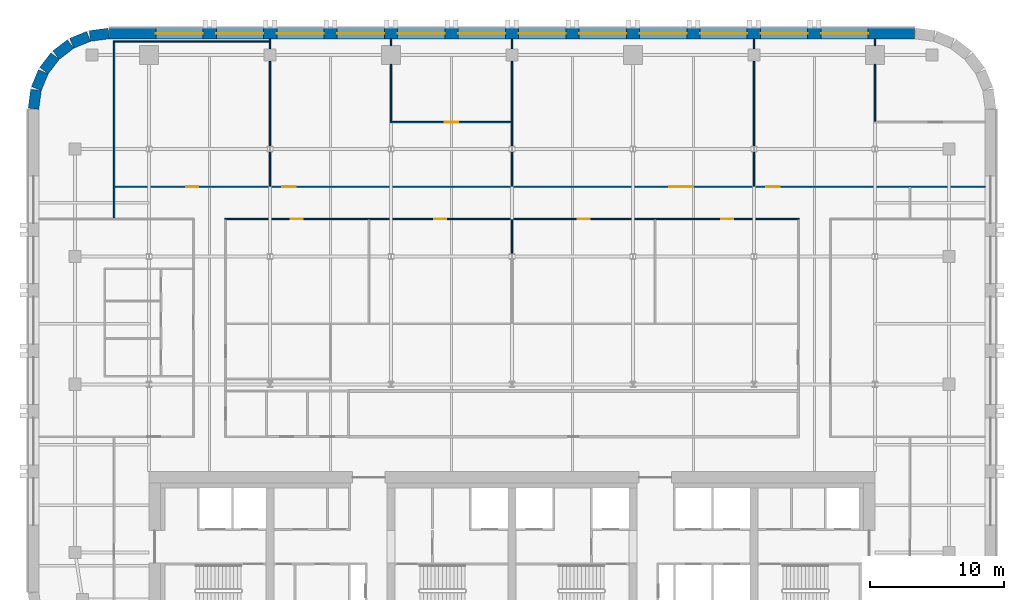
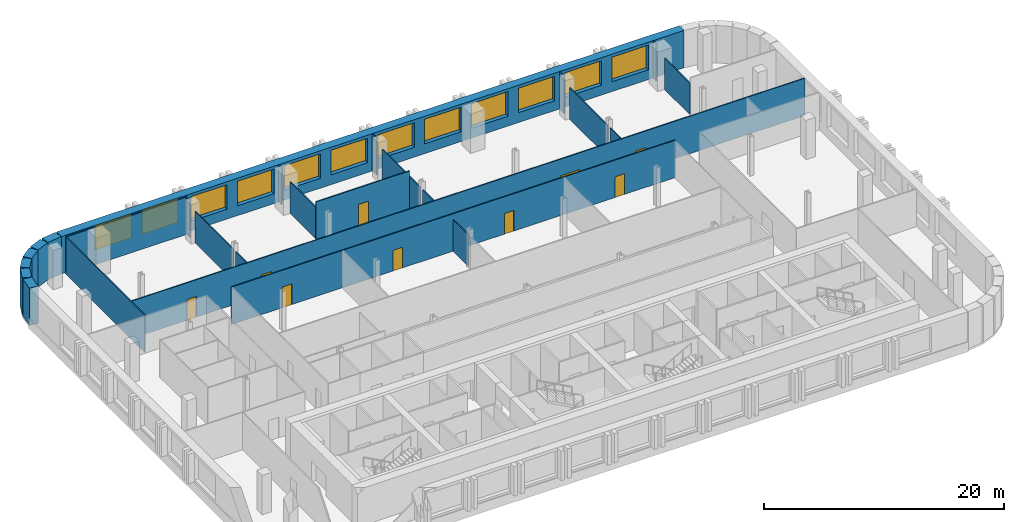
# One storey, part 6 of 9: 26 walls, 12 windows, 9 doors, 21 openings.
"""IFC4 building model written with IfcOpenShell, lengths in metres."""

from ifc_helpers import new_model, si_unit, direction, frame, frame_2d, origin, place, context, subcontext, project, spatial, rectangle, extrude, material, layer, layer_set, type_object, element, fill, save


model = new_model("IFC4")

# Units and contexts
model_context = context("Model", 3, precision=1e-05, world=origin(), true_north=direction((0.0, 1.0)))
body_context = subcontext(model_context, "Body", "Model", "MODEL_VIEW")
ifc_project = project(units=[si_unit("LENGTHUNIT", "METRE"), si_unit("AREAUNIT", "SQUARE_METRE"), si_unit("VOLUMEUNIT", "CUBIC_METRE"), si_unit("PLANEANGLEUNIT", "RADIAN"), si_unit("MASSUNIT", "GRAM", prefix="KILO")], contexts=[model_context])

# Site, building, storey
site_placement = place(None, origin())
site = spatial("IfcSite", under=ifc_project, at=site_placement, CompositionType="ELEMENT")
building_placement = place(site_placement, origin())
building = spatial("IfcBuilding", under=site, at=building_placement, Name="Zellij Exchange Tower", CompositionType="ELEMENT")
storey_placement = place(building_placement, frame((0.0, 0.0, 184.5)))
storey = spatial("IfcBuildingStorey", under=building, at=storey_placement, Name="L42", CompositionType="ELEMENT", Elevation=184.5)

# Wall, openings, windows
ifc_material_1 = material(Name="Precast concrete C40/50", Category="concrete")
ifc_layer_1 = layer(ifc_material_1, 0.800048828125)
ifc_layer_set_1 = layer_set([ifc_layer_1], Name="Precast concrete C40/50")
wall_type_1 = type_object("IfcWallType", Name="ENV-EW1 Precast stone-piered wall 800", PredefinedType="SOLIDWALL", material=ifc_layer_set_1)
wall_1_placement = place(storey_placement, frame((29.947509765625, 30.60009765625, 0.0), z_axis=(0.0, 0.0, 1.0), x_axis=(-1.0, 0.0, 0.0)))
wall_1 = element("IfcWall", 1, at=wall_1_placement, inside=storey, type_object=wall_type_1, Name="fac.L42.14", PredefinedType="SOLIDWALL", context=body_context, shape_type="SweptSolid", body=[
    extrude(rectangle(XDim=59.89501953125, YDim=0.800048828125, at=frame_2d((29.947509765625, 0.0))), origin(), (0.0, 0.0, 1.0), 3.800048828125),
])
opening_1_placement = place(wall_1_placement, frame((3.447509765625, 0.0, 1.0)))
opening_1 = element("IfcOpeningElement", 2, at=opening_1_placement, cuts=wall_1, Name="Opening FZ3.19", PredefinedType="OPENING", context=body_context, shape_type="SweptSolid", body=[
    extrude(rectangle(XDim=3.5, YDim=2.5, at=frame_2d((1.75, 1.25))), frame((0.0, 0.412109375, 0.0), z_axis=(0.0, -1.0, 0.0), x_axis=(1.0, 0.0, 0.0)), (0.0, 0.0, 1.0), 0.823974609375),
])
opening_2_placement = place(wall_1_placement, frame((7.947509765625, 0.0, 1.0)))
opening_2 = element("IfcOpeningElement", 3, at=opening_2_placement, cuts=wall_1, Name="Opening FZ3.20", PredefinedType="OPENING", context=body_context, shape_type="SweptSolid", body=[
    extrude(rectangle(XDim=3.5, YDim=2.5, at=frame_2d((1.75, 1.25))), frame((0.0, 0.412109375, 0.0), z_axis=(0.0, -1.0, 0.0), x_axis=(1.0, 0.0, 0.0)), (0.0, 0.0, 1.0), 0.823974609375),
])
opening_3_placement = place(wall_1_placement, frame((12.447509765625, 0.0, 1.0)))
opening_3 = element("IfcOpeningElement", 4, at=opening_3_placement, cuts=wall_1, Name="Opening FZ3.21", PredefinedType="OPENING", context=body_context, shape_type="SweptSolid", body=[
    extrude(rectangle(XDim=3.5, YDim=2.5, at=frame_2d((1.75, 1.25))), frame((0.0, 0.412109375, 0.0), z_axis=(0.0, -1.0, 0.0), x_axis=(1.0, 0.0, 0.0)), (0.0, 0.0, 1.0), 0.823974609375),
])
opening_4_placement = place(wall_1_placement, frame((16.947509765625, 0.0, 1.0)))
opening_4 = element("IfcOpeningElement", 5, at=opening_4_placement, cuts=wall_1, Name="Opening FZ3.22", PredefinedType="OPENING", context=body_context, shape_type="SweptSolid", body=[
    extrude(rectangle(XDim=3.5, YDim=2.5, at=frame_2d((1.75, 1.25))), frame((0.0, 0.412109375, 0.0), z_axis=(0.0, -1.0, 0.0), x_axis=(1.0, 0.0, 0.0)), (0.0, 0.0, 1.0), 0.823974609375),
])
opening_5_placement = place(wall_1_placement, frame((21.447509765625, 0.0, 1.0)))
opening_5 = element("IfcOpeningElement", 6, at=opening_5_placement, cuts=wall_1, Name="Opening FZ3.23", PredefinedType="OPENING", context=body_context, shape_type="SweptSolid", body=[
    extrude(rectangle(XDim=3.5, YDim=2.5, at=frame_2d((1.75, 1.25))), frame((0.0, 0.412109375, 0.0), z_axis=(0.0, -1.0, 0.0), x_axis=(1.0, 0.0, 0.0)), (0.0, 0.0, 1.0), 0.823974609375),
])
opening_6_placement = place(wall_1_placement, frame((25.947509765625, 0.0, 1.0)))
opening_6 = element("IfcOpeningElement", 7, at=opening_6_placement, cuts=wall_1, Name="Opening FZ3.24", PredefinedType="OPENING", context=body_context, shape_type="SweptSolid", body=[
    extrude(rectangle(XDim=3.5, YDim=2.5, at=frame_2d((1.75, 1.25))), frame((0.0, 0.412109375, 0.0), z_axis=(0.0, -1.0, 0.0), x_axis=(1.0, 0.0, 0.0)), (0.0, 0.0, 1.0), 0.823974609375),
])
opening_7_placement = place(wall_1_placement, frame((30.447509765625, 0.0, 1.0)))
opening_7 = element("IfcOpeningElement", 8, at=opening_7_placement, cuts=wall_1, Name="Opening FZ3.25", PredefinedType="OPENING", context=body_context, shape_type="SweptSolid", body=[
    extrude(rectangle(XDim=3.5, YDim=2.5, at=frame_2d((1.75, 1.25))), frame((0.0, 0.412109375, 0.0), z_axis=(0.0, -1.0, 0.0), x_axis=(1.0, 0.0, 0.0)), (0.0, 0.0, 1.0), 0.823974609375),
])
opening_8_placement = place(wall_1_placement, frame((34.947509765625, 0.0, 1.0)))
opening_8 = element("IfcOpeningElement", 9, at=opening_8_placement, cuts=wall_1, Name="Opening FZ3.26", PredefinedType="OPENING", context=body_context, shape_type="SweptSolid", body=[
    extrude(rectangle(XDim=3.5, YDim=2.5, at=frame_2d((1.75, 1.25))), frame((0.0, 0.412109375, 0.0), z_axis=(0.0, -1.0, 0.0), x_axis=(1.0, 0.0, 0.0)), (0.0, 0.0, 1.0), 0.823974609375),
])
opening_9_placement = place(wall_1_placement, frame((39.447509765625, 0.0, 1.0)))
opening_9 = element("IfcOpeningElement", 10, at=opening_9_placement, cuts=wall_1, Name="Opening FZ3.27", PredefinedType="OPENING", context=body_context, shape_type="SweptSolid", body=[
    extrude(rectangle(XDim=3.5, YDim=2.5, at=frame_2d((1.75, 1.25))), frame((0.0, 0.412109375, 0.0), z_axis=(0.0, -1.0, 0.0), x_axis=(1.0, 0.0, 0.0)), (0.0, 0.0, 1.0), 0.823974609375),
])
opening_10_placement = place(wall_1_placement, frame((43.947509765625, 0.0, 1.0)))
opening_10 = element("IfcOpeningElement", 11, at=opening_10_placement, cuts=wall_1, Name="Opening FZ3.28", PredefinedType="OPENING", context=body_context, shape_type="SweptSolid", body=[
    extrude(rectangle(XDim=3.5, YDim=2.5, at=frame_2d((1.75, 1.25))), frame((0.0, 0.412109375, 0.0), z_axis=(0.0, -1.0, 0.0), x_axis=(1.0, 0.0, 0.0)), (0.0, 0.0, 1.0), 0.823974609375),
])
opening_11_placement = place(wall_1_placement, frame((48.447509765625, 0.0, 1.0)))
opening_11 = element("IfcOpeningElement", 12, at=opening_11_placement, cuts=wall_1, Name="Opening FZ3.29", PredefinedType="OPENING", context=body_context, shape_type="SweptSolid", body=[
    extrude(rectangle(XDim=3.5, YDim=2.5, at=frame_2d((1.75, 1.25))), frame((0.0, 0.412109375, 0.0), z_axis=(0.0, -1.0, 0.0), x_axis=(1.0, 0.0, 0.0)), (0.0, 0.0, 1.0), 0.823974609375),
])
opening_12_placement = place(wall_1_placement, frame((52.947509765625, 0.0, 1.0)))
opening_12 = element("IfcOpeningElement", 13, at=opening_12_placement, cuts=wall_1, Name="Opening FZ3.30", PredefinedType="OPENING", context=body_context, shape_type="SweptSolid", body=[
    extrude(rectangle(XDim=3.5, YDim=2.5, at=frame_2d((1.75, 1.25))), frame((0.0, 0.412109375, 0.0), z_axis=(0.0, -1.0, 0.0), x_axis=(1.0, 0.0, 0.0)), (0.0, 0.0, 1.0), 0.823974609375),
])
ifc_material_2 = material(Name="Aluminium frame with insulating glass", Category="aluminium")
window_type = type_object("IfcWindowType", Name="ENV-W1 Window 3500x2500", PartitioningType="SINGLE_PANEL", PredefinedType="WINDOW", material=ifc_material_2)
window_1_placement = place(opening_1_placement, origin())
window_1 = element("IfcWindow", 14, at=window_1_placement, inside=storey, type_object=window_type, Name="Window FZ3.19", OverallHeight=2.5, OverallWidth=3.5, PartitioningType="SINGLE_PANEL", PredefinedType="WINDOW", context=body_context, shape_type="SweptSolid", body=[
    extrude(rectangle(XDim=3.5, YDim=2.5, at=frame_2d((1.75, 1.25))), frame((0.0, 0.030029296875, 0.0), z_axis=(0.0, -1.0, 0.0), x_axis=(1.0, 0.0, 0.0)), (0.0, 0.0, 1.0), 0.06005859375),
])
fill(opening_1, window_1)
window_2_placement = place(opening_2_placement, origin())
window_2 = element("IfcWindow", 15, at=window_2_placement, inside=storey, type_object=window_type, Name="Window FZ3.20", OverallHeight=2.5, OverallWidth=3.5, PartitioningType="SINGLE_PANEL", PredefinedType="WINDOW", context=body_context, shape_type="SweptSolid", body=[
    extrude(rectangle(XDim=3.5, YDim=2.5, at=frame_2d((1.75, 1.25))), frame((0.0, 0.030029296875, 0.0), z_axis=(0.0, -1.0, 0.0), x_axis=(1.0, 0.0, 0.0)), (0.0, 0.0, 1.0), 0.06005859375),
])
fill(opening_2, window_2)
window_3_placement = place(opening_3_placement, origin())
window_3 = element("IfcWindow", 16, at=window_3_placement, inside=storey, type_object=window_type, Name="Window FZ3.21", OverallHeight=2.5, OverallWidth=3.5, PartitioningType="SINGLE_PANEL", PredefinedType="WINDOW", context=body_context, shape_type="SweptSolid", body=[
    extrude(rectangle(XDim=3.5, YDim=2.5, at=frame_2d((1.75, 1.25))), frame((0.0, 0.030029296875, 0.0), z_axis=(0.0, -1.0, 0.0), x_axis=(1.0, 0.0, 0.0)), (0.0, 0.0, 1.0), 0.06005859375),
])
fill(opening_3, window_3)
window_4_placement = place(opening_4_placement, origin())
window_4 = element("IfcWindow", 17, at=window_4_placement, inside=storey, type_object=window_type, Name="Window FZ3.22", OverallHeight=2.5, OverallWidth=3.5, PartitioningType="SINGLE_PANEL", PredefinedType="WINDOW", context=body_context, shape_type="SweptSolid", body=[
    extrude(rectangle(XDim=3.5, YDim=2.5, at=frame_2d((1.75, 1.25))), frame((0.0, 0.030029296875, 0.0), z_axis=(0.0, -1.0, 0.0), x_axis=(1.0, 0.0, 0.0)), (0.0, 0.0, 1.0), 0.06005859375),
])
fill(opening_4, window_4)
window_5_placement = place(opening_5_placement, origin())
window_5 = element("IfcWindow", 18, at=window_5_placement, inside=storey, type_object=window_type, Name="Window FZ3.23", OverallHeight=2.5, OverallWidth=3.5, PartitioningType="SINGLE_PANEL", PredefinedType="WINDOW", context=body_context, shape_type="SweptSolid", body=[
    extrude(rectangle(XDim=3.5, YDim=2.5, at=frame_2d((1.75, 1.25))), frame((0.0, 0.030029296875, 0.0), z_axis=(0.0, -1.0, 0.0), x_axis=(1.0, 0.0, 0.0)), (0.0, 0.0, 1.0), 0.06005859375),
])
fill(opening_5, window_5)
window_6_placement = place(opening_6_placement, origin())
window_6 = element("IfcWindow", 19, at=window_6_placement, inside=storey, type_object=window_type, Name="Window FZ3.24", OverallHeight=2.5, OverallWidth=3.5, PartitioningType="SINGLE_PANEL", PredefinedType="WINDOW", context=body_context, shape_type="SweptSolid", body=[
    extrude(rectangle(XDim=3.5, YDim=2.5, at=frame_2d((1.75, 1.25))), frame((0.0, 0.030029296875, 0.0), z_axis=(0.0, -1.0, 0.0), x_axis=(1.0, 0.0, 0.0)), (0.0, 0.0, 1.0), 0.06005859375),
])
fill(opening_6, window_6)
window_7_placement = place(opening_7_placement, origin())
window_7 = element("IfcWindow", 20, at=window_7_placement, inside=storey, type_object=window_type, Name="Window FZ3.25", OverallHeight=2.5, OverallWidth=3.5, PartitioningType="SINGLE_PANEL", PredefinedType="WINDOW", context=body_context, shape_type="SweptSolid", body=[
    extrude(rectangle(XDim=3.5, YDim=2.5, at=frame_2d((1.75, 1.25))), frame((0.0, 0.030029296875, 0.0), z_axis=(0.0, -1.0, 0.0), x_axis=(1.0, 0.0, 0.0)), (0.0, 0.0, 1.0), 0.06005859375),
])
fill(opening_7, window_7)
window_8_placement = place(opening_8_placement, origin())
window_8 = element("IfcWindow", 21, at=window_8_placement, inside=storey, type_object=window_type, Name="Window FZ3.26", OverallHeight=2.5, OverallWidth=3.5, PartitioningType="SINGLE_PANEL", PredefinedType="WINDOW", context=body_context, shape_type="SweptSolid", body=[
    extrude(rectangle(XDim=3.5, YDim=2.5, at=frame_2d((1.75, 1.25))), frame((0.0, 0.030029296875, 0.0), z_axis=(0.0, -1.0, 0.0), x_axis=(1.0, 0.0, 0.0)), (0.0, 0.0, 1.0), 0.06005859375),
])
fill(opening_8, window_8)
window_9_placement = place(opening_9_placement, origin())
window_9 = element("IfcWindow", 22, at=window_9_placement, inside=storey, type_object=window_type, Name="Window FZ3.27", OverallHeight=2.5, OverallWidth=3.5, PartitioningType="SINGLE_PANEL", PredefinedType="WINDOW", context=body_context, shape_type="SweptSolid", body=[
    extrude(rectangle(XDim=3.5, YDim=2.5, at=frame_2d((1.75, 1.25))), frame((0.0, 0.030029296875, 0.0), z_axis=(0.0, -1.0, 0.0), x_axis=(1.0, 0.0, 0.0)), (0.0, 0.0, 1.0), 0.06005859375),
])
fill(opening_9, window_9)
window_10_placement = place(opening_10_placement, origin())
window_10 = element("IfcWindow", 23, at=window_10_placement, inside=storey, type_object=window_type, Name="Window FZ3.28", OverallHeight=2.5, OverallWidth=3.5, PartitioningType="SINGLE_PANEL", PredefinedType="WINDOW", context=body_context, shape_type="SweptSolid", body=[
    extrude(rectangle(XDim=3.5, YDim=2.5, at=frame_2d((1.75, 1.25))), frame((0.0, 0.030029296875, 0.0), z_axis=(0.0, -1.0, 0.0), x_axis=(1.0, 0.0, 0.0)), (0.0, 0.0, 1.0), 0.06005859375),
])
fill(opening_10, window_10)
window_11_placement = place(opening_11_placement, origin())
window_11 = element("IfcWindow", 24, at=window_11_placement, inside=storey, type_object=window_type, Name="Window FZ3.29", OverallHeight=2.5, OverallWidth=3.5, PartitioningType="SINGLE_PANEL", PredefinedType="WINDOW", context=body_context, shape_type="SweptSolid", body=[
    extrude(rectangle(XDim=3.5, YDim=2.5, at=frame_2d((1.75, 1.25))), frame((0.0, 0.030029296875, 0.0), z_axis=(0.0, -1.0, 0.0), x_axis=(1.0, 0.0, 0.0)), (0.0, 0.0, 1.0), 0.06005859375),
])
fill(opening_11, window_11)
window_12_placement = place(opening_12_placement, origin())
window_12 = element("IfcWindow", 25, at=window_12_placement, inside=storey, type_object=window_type, Name="Window FZ3.30", OverallHeight=2.5, OverallWidth=3.5, PartitioningType="SINGLE_PANEL", PredefinedType="WINDOW", context=body_context, shape_type="SweptSolid", body=[
    extrude(rectangle(XDim=3.5, YDim=2.5, at=frame_2d((1.75, 1.25))), frame((0.0, 0.030029296875, 0.0), z_axis=(0.0, -1.0, 0.0), x_axis=(1.0, 0.0, 0.0)), (0.0, 0.0, 1.0), 0.06005859375),
])
fill(opening_12, window_12)

# Walls
wall_2_placement = place(storey_placement, frame((-29.999755859375, 30.5966796875, 0.0), z_axis=(0.0, 0.0, 1.0), x_axis=(-0.99144603414, -0.130517283865, 0.0)))
element("IfcWall", 26, at=wall_2_placement, inside=storey, type_object=wall_type_1, Name="fac.L42.15", PredefinedType="SOLIDWALL", context=body_context, shape_type="SweptSolid", body=[
    extrude(rectangle(XDim=1.408447265625, YDim=0.800048828125, at=frame_2d((0.7041015625, 0.0))), origin(), (0.0, 0.0, 1.0), 3.800048828125),
])
wall_3_placement = place(storey_placement, frame((-31.497314453125, 30.3857421875, 0.0), z_axis=(0.0, 0.0, 1.0), x_axis=(-0.923847774587, -0.38276009378, 0.0)))
element("IfcWall", 27, at=wall_3_placement, inside=storey, type_object=wall_type_1, Name="fac.L42.16", PredefinedType="SOLIDWALL", context=body_context, shape_type="SweptSolid", body=[
    extrude(rectangle(XDim=1.35546875, YDim=0.800048828125, at=frame_2d((0.677734375, 0.0))), origin(), (0.0, 0.0, 1.0), 3.800048828125),
])
for number, where, z_axis, x_axis, name in (
    (28, (-32.840087890625, 29.814697265625, 0.0), (0.0, 0.0, 1.0), (-0.793272915452, -0.608866226366, 0.0), "fac.L42.17"),
    (29, (-33.9892578125, 28.91552734375, 0.0), (0.0, 0.0, 1.0), (-0.608866226366, -0.793272915452, 0.0), "fac.L42.18"),
):
    element("IfcWall", number, at=place(storey_placement, frame(where, z_axis=z_axis, x_axis=x_axis)), inside=storey, type_object=wall_type_1, Name=name, PredefinedType="SOLIDWALL", context=body_context, shape_type="SweptSolid", body=[
        extrude(rectangle(XDim=1.355712890625, YDim=0.800048828125, at=frame_2d((0.677734375, 0.0))), origin(), (0.0, 0.0, 1.0), 3.800048828125),
    ])
wall_4_placement = place(storey_placement, frame((-34.866943359375, 27.74951171875, 0.0), z_axis=(0.0, 0.0, 1.0), x_axis=(-0.38276009378, -0.923847774587, 0.0)))
element("IfcWall", 30, at=wall_4_placement, inside=storey, type_object=wall_type_1, Name="fac.L42.19", PredefinedType="SOLIDWALL", context=body_context, shape_type="SweptSolid", body=[
    extrude(rectangle(XDim=1.35546875, YDim=0.800048828125, at=frame_2d((0.677734375, 0.0))), origin(), (0.0, 0.0, 1.0), 3.800048828125),
])
wall_5_placement = place(storey_placement, frame((-35.412841796875, 26.396240234375, 0.0), z_axis=(0.0, 0.0, 1.0), x_axis=(-0.130517283865, -0.99144603414, 0.0)))
element("IfcWall", 31, at=wall_5_placement, inside=storey, type_object=wall_type_1, Name="fac.L42.20", PredefinedType="SOLIDWALL", context=body_context, shape_type="SweptSolid", body=[
    extrude(rectangle(XDim=1.408447265625, YDim=0.800048828125, at=frame_2d((0.7041015625, 0.0))), origin(), (0.0, 0.0, 1.0), 3.800048828125),
])
ifc_material_3 = material(Name="Gypsum board partition on steel studs", Category="steel")
ifc_layer_2 = layer(ifc_material_3, 0.10009765625)
ifc_layer_set_2 = layer_set([ifc_layer_2], Name="Gypsum board partition on steel studs")
wall_type_2 = type_object("IfcWallType", Name="FIT-PARTITION-100", PredefinedType="PARTITIONING", material=ifc_layer_set_2)
wall_6_placement = place(storey_placement, frame((0.0, 14.212158203125, 0.0), z_axis=(0.0, 0.0, 1.0), x_axis=(0.0, 1.0, 0.0)))
element("IfcWall", 32, at=wall_6_placement, inside=storey, type_object=wall_type_2, Name="FIT-PARTITION-100 028", PredefinedType="PARTITIONING", context=body_context, shape_type="SweptSolid", body=[
    extrude(rectangle(XDim=2.537841796875, YDim=0.10009765625, at=frame_2d((1.26904296875, 0.0))), origin(), (0.0, 0.0, 1.0), 3.19287109375),
])
wall_7_placement = place(storey_placement, frame((-29.60009765625, 16.85009765625, 0.0), z_axis=(0.0, 0.0, 1.0), x_axis=(0.0, 1.0, 0.0)))
element("IfcWall", 33, at=wall_7_placement, inside=storey, type_object=wall_type_2, Name="FIT-PARTITION-100 033", PredefinedType="PARTITIONING", context=body_context, shape_type="SweptSolid", body=[
    extrude(rectangle(XDim=13.099853515625, YDim=0.10009765625, at=frame_2d((6.5498046875, 0.0))), origin(), (0.0, 0.0, 1.0), 3.800048828125),
])

# Wall, openings, doors
wall_8_placement = place(storey_placement, frame((-21.35009765625, 16.800048828125, 0.0), z_axis=(0.0, 0.0, 1.0), x_axis=(1.0, 0.0, 0.0)))
wall_8 = element("IfcWall", 34, at=wall_8_placement, inside=storey, type_object=wall_type_2, Name="FIT-PARTITION-100 034", PredefinedType="PARTITIONING", context=body_context, shape_type="SweptSolid", body=[
    extrude(rectangle(XDim=42.7001953125, YDim=0.10009765625, at=frame_2d((21.35009765625, 0.0))), origin(), (0.0, 0.0, 1.0), 3.800048828125),
])
opening_13_placement = place(wall_8_placement, frame((4.89990234375, 0.0, 0.0)))
opening_13 = element("IfcOpeningElement", 35, at=opening_13_placement, cuts=wall_8, Name="Opening O3B.15", PredefinedType="OPENING", context=body_context, shape_type="SweptSolid", body=[
    extrude(rectangle(XDim=0.89990234375, YDim=2.10009765625, at=frame_2d((0.449951171875, 1.050048828125))), frame((0.0, 0.06201171875, 0.0), z_axis=(0.0, -1.0, 0.0), x_axis=(1.0, 0.0, 0.0)), (0.0, 0.0, 1.0), 0.1240234375),
])
opening_14_placement = place(wall_8_placement, frame((15.550048828125, 0.0, 0.0)))
opening_14 = element("IfcOpeningElement", 36, at=opening_14_placement, cuts=wall_8, Name="Opening O3B.16", PredefinedType="OPENING", context=body_context, shape_type="SweptSolid", body=[
    extrude(rectangle(XDim=0.89990234375, YDim=2.10009765625, at=frame_2d((0.449951171875, 1.050048828125))), frame((0.0, 0.06201171875, 0.0), z_axis=(0.0, -1.0, 0.0), x_axis=(1.0, 0.0, 0.0)), (0.0, 0.0, 1.0), 0.1240234375),
])
opening_15_placement = place(wall_8_placement, frame((26.25, 0.0, 0.0)))
opening_15 = element("IfcOpeningElement", 37, at=opening_15_placement, cuts=wall_8, Name="Opening O3B.17", PredefinedType="OPENING", context=body_context, shape_type="SweptSolid", body=[
    extrude(rectangle(XDim=0.89990234375, YDim=2.10009765625, at=frame_2d((0.449951171875, 1.050048828125))), frame((0.0, 0.06201171875, 0.0), z_axis=(0.0, -1.0, 0.0), x_axis=(1.0, 0.0, 0.0)), (0.0, 0.0, 1.0), 0.1240234375),
])
opening_16_placement = place(wall_8_placement, frame((36.89990234375, 0.0, 0.0)))
opening_16 = element("IfcOpeningElement", 38, at=opening_16_placement, cuts=wall_8, Name="Opening O3B.18", PredefinedType="OPENING", context=body_context, shape_type="SweptSolid", body=[
    extrude(rectangle(XDim=0.89990234375, YDim=2.10009765625, at=frame_2d((0.449951171875, 1.050048828125))), frame((0.0, 0.06201171875, 0.0), z_axis=(0.0, -1.0, 0.0), x_axis=(1.0, 0.0, 0.0)), (0.0, 0.0, 1.0), 0.1240234375),
])
ifc_material_4 = material(Name="Timber door set", Category="wood")
door_type_1 = type_object("IfcDoorType", Name="FIT-D1-ROOM-900X2100", OperationType="SINGLE_SWING_LEFT", PredefinedType="DOOR", material=ifc_material_4)
door_1_placement = place(opening_13_placement, origin())
door_1 = element("IfcDoor", 39, at=door_1_placement, inside=storey, type_object=door_type_1, Name="Door O3B.15", OperationType="SINGLE_SWING_LEFT", OverallHeight=2.10009765625, OverallWidth=0.89990234375, PredefinedType="DOOR", context=body_context, shape_type="SweptSolid", body=[
    extrude(rectangle(XDim=0.89990234375, YDim=2.10009765625, at=frame_2d((0.449951171875, 1.050048828125))), frame((0.0, 0.02490234375, 0.0), z_axis=(0.0, -1.0, 0.0), x_axis=(1.0, 0.0, 0.0)), (0.0, 0.0, 1.0), 0.050048828125),
])
fill(opening_13, door_1)
door_2_placement = place(opening_14_placement, origin())
door_2 = element("IfcDoor", 40, at=door_2_placement, inside=storey, type_object=door_type_1, Name="Door O3B.16", OperationType="SINGLE_SWING_LEFT", OverallHeight=2.10009765625, OverallWidth=0.89990234375, PredefinedType="DOOR", context=body_context, shape_type="SweptSolid", body=[
    extrude(rectangle(XDim=0.89990234375, YDim=2.10009765625, at=frame_2d((0.449951171875, 1.050048828125))), frame((0.0, 0.02490234375, 0.0), z_axis=(0.0, -1.0, 0.0), x_axis=(1.0, 0.0, 0.0)), (0.0, 0.0, 1.0), 0.050048828125),
])
fill(opening_14, door_2)
door_3_placement = place(opening_15_placement, origin())
door_3 = element("IfcDoor", 41, at=door_3_placement, inside=storey, type_object=door_type_1, Name="Door O3B.17", OperationType="SINGLE_SWING_RIGHT", OverallHeight=2.10009765625, OverallWidth=0.89990234375, PredefinedType="DOOR", context=body_context, shape_type="SweptSolid", body=[
    extrude(rectangle(XDim=0.89990234375, YDim=2.10009765625, at=frame_2d((0.449951171875, 1.050048828125))), frame((0.0, 0.02490234375, 0.0), z_axis=(0.0, -1.0, 0.0), x_axis=(1.0, 0.0, 0.0)), (0.0, 0.0, 1.0), 0.050048828125),
])
fill(opening_15, door_3)
door_4_placement = place(opening_16_placement, origin())
door_4 = element("IfcDoor", 42, at=door_4_placement, inside=storey, type_object=door_type_1, Name="Door O3B.18", OperationType="SINGLE_SWING_RIGHT", OverallHeight=2.10009765625, OverallWidth=0.89990234375, PredefinedType="DOOR", context=body_context, shape_type="SweptSolid", body=[
    extrude(rectangle(XDim=0.89990234375, YDim=2.10009765625, at=frame_2d((0.449951171875, 1.050048828125))), frame((0.0, 0.02490234375, 0.0), z_axis=(0.0, -1.0, 0.0), x_axis=(1.0, 0.0, 0.0)), (0.0, 0.0, 1.0), 0.050048828125),
])
fill(opening_16, door_4)

wall_9_placement = place(storey_placement, frame((-29.550048828125, 19.199951171875, 0.0), z_axis=(0.0, 0.0, 1.0), x_axis=(1.0, 0.0, 0.0)))
wall_9 = element("IfcWall", 43, at=wall_9_placement, inside=storey, type_object=wall_type_2, Name="FIT-PARTITION-100 037", PredefinedType="PARTITIONING", context=body_context, shape_type="SweptSolid", body=[
    extrude(rectangle(XDim=64.75, YDim=0.10009765625, at=frame_2d((32.375, 0.0))), origin(), (0.0, 0.0, 1.0), 3.800048828125),
])
opening_17_placement = place(wall_9_placement, frame((5.300048828125, 0.0, 0.0)))
opening_17 = element("IfcOpeningElement", 44, at=opening_17_placement, cuts=wall_9, Name="Opening O3B.19", PredefinedType="OPENING", context=body_context, shape_type="SweptSolid", body=[
    extrude(rectangle(XDim=0.89990234375, YDim=2.10009765625, at=frame_2d((0.449951171875, 1.050048828125))), frame((0.0, 0.06201171875, 0.0), z_axis=(0.0, -1.0, 0.0), x_axis=(1.0, 0.0, 0.0)), (0.0, 0.0, 1.0), 0.1240234375),
])
opening_18_placement = place(wall_9_placement, frame((12.449951171875, 0.0, 0.0)))
opening_18 = element("IfcOpeningElement", 45, at=opening_18_placement, cuts=wall_9, Name="Opening O3B.20", PredefinedType="OPENING", context=body_context, shape_type="SweptSolid", body=[
    extrude(rectangle(XDim=1.0, YDim=2.10009765625, at=frame_2d((0.5, 1.050048828125))), frame((0.0, 0.06201171875, 0.0), z_axis=(0.0, -1.0, 0.0), x_axis=(1.0, 0.0, 0.0)), (0.0, 0.0, 1.0), 0.1240234375),
])
opening_19_placement = place(wall_9_placement, frame((41.25, 0.0, 0.0)))
opening_19 = element("IfcOpeningElement", 46, at=opening_19_placement, cuts=wall_9, Name="Opening O3B.21", PredefinedType="OPENING", context=body_context, shape_type="SweptSolid", body=[
    extrude(rectangle(XDim=1.800048828125, YDim=2.10009765625, at=frame_2d((0.89990234375, 1.050048828125))), frame((0.0, 0.06201171875, 0.0), z_axis=(0.0, -1.0, 0.0), x_axis=(1.0, 0.0, 0.0)), (0.0, 0.0, 1.0), 0.1240234375),
])
opening_20_placement = place(wall_9_placement, frame((48.449951171875, 0.0, 0.0)))
opening_20 = element("IfcOpeningElement", 47, at=opening_20_placement, cuts=wall_9, Name="Opening O3B.22", PredefinedType="OPENING", context=body_context, shape_type="SweptSolid", body=[
    extrude(rectangle(XDim=1.0, YDim=2.10009765625, at=frame_2d((0.5, 1.050048828125))), frame((0.0, 0.06201171875, 0.0), z_axis=(0.0, -1.0, 0.0), x_axis=(1.0, 0.0, 0.0)), (0.0, 0.0, 1.0), 0.1240234375),
])
door_5_placement = place(opening_17_placement, origin())
door_5 = element("IfcDoor", 48, at=door_5_placement, inside=storey, type_object=door_type_1, Name="Door O3B.19", OperationType="SINGLE_SWING_RIGHT", OverallHeight=2.10009765625, OverallWidth=0.89990234375, PredefinedType="DOOR", context=body_context, shape_type="SweptSolid", body=[
    extrude(rectangle(XDim=0.89990234375, YDim=2.10009765625, at=frame_2d((0.449951171875, 1.050048828125))), frame((0.0, 0.02490234375, 0.0), z_axis=(0.0, -1.0, 0.0), x_axis=(1.0, 0.0, 0.0)), (0.0, 0.0, 1.0), 0.050048828125),
])
fill(opening_17, door_5)
door_type_2 = type_object("IfcDoorType", Name="FIT-D2-WIDE-1000X2100", OperationType="SINGLE_SWING_LEFT", PredefinedType="DOOR", material=ifc_material_4)
door_6_placement = place(opening_18_placement, origin())
door_6 = element("IfcDoor", 49, at=door_6_placement, inside=storey, type_object=door_type_2, Name="Door O3B.20", OperationType="SINGLE_SWING_RIGHT", OverallHeight=2.10009765625, OverallWidth=1.0, PredefinedType="DOOR", context=body_context, shape_type="SweptSolid", body=[
    extrude(rectangle(XDim=1.0, YDim=2.10009765625, at=frame_2d((0.5, 1.050048828125))), frame((0.0, 0.02490234375, 0.0), z_axis=(0.0, -1.0, 0.0), x_axis=(1.0, 0.0, 0.0)), (0.0, 0.0, 1.0), 0.050048828125),
])
fill(opening_18, door_6)
door_7_placement = place(opening_20_placement, origin())
door_7 = element("IfcDoor", 50, at=door_7_placement, inside=storey, type_object=door_type_2, Name="Door O3B.22", OperationType="SINGLE_SWING_RIGHT", OverallHeight=2.10009765625, OverallWidth=1.0, PredefinedType="DOOR", context=body_context, shape_type="SweptSolid", body=[
    extrude(rectangle(XDim=1.0, YDim=2.10009765625, at=frame_2d((0.5, 1.050048828125))), frame((0.0, 0.02490234375, 0.0), z_axis=(0.0, -1.0, 0.0), x_axis=(1.0, 0.0, 0.0)), (0.0, 0.0, 1.0), 0.050048828125),
])
fill(opening_20, door_7)
door_type_3 = type_object("IfcDoorType", Name="FIT-D3-DOUBLE-1800X2100", OperationType="DOUBLE_DOOR_SINGLE_SWING", PredefinedType="DOOR", material=ifc_material_4)
door_8_placement = place(opening_19_placement, origin())
door_8 = element("IfcDoor", 51, at=door_8_placement, inside=storey, type_object=door_type_3, Name="Door O3B.21", OperationType="DOUBLE_DOOR_SINGLE_SWING", OverallHeight=2.10009765625, OverallWidth=1.800048828125, PredefinedType="DOOR", context=body_context, shape_type="SweptSolid", body=[
    extrude(rectangle(XDim=1.800048828125, YDim=2.10009765625, at=frame_2d((0.89990234375, 1.050048828125))), frame((0.0, 0.02490234375, 0.0), z_axis=(0.0, -1.0, 0.0), x_axis=(1.0, 0.0, 0.0)), (0.0, 0.0, 1.0), 0.050048828125),
])
fill(opening_19, door_8)

# Walls
wall_10_placement = place(storey_placement, frame((-18.0, 19.25, 0.0), z_axis=(0.0, 0.0, 1.0), x_axis=(0.0, 1.0, 0.0)))
element("IfcWall", 52, at=wall_10_placement, inside=storey, type_object=wall_type_2, Name="FIT-PARTITION-100 038", PredefinedType="PARTITIONING", context=body_context, shape_type="SweptSolid", body=[
    extrude(rectangle(XDim=2.537841796875, YDim=0.10009765625, at=frame_2d((1.26904296875, 0.0))), origin(), (0.0, 0.0, 1.0), 3.19287109375),
])
wall_11_placement = place(storey_placement, frame((-18.0, 22.212158203125, 0.0), z_axis=(0.0, 0.0, 1.0), x_axis=(0.0, 1.0, 0.0)))
element("IfcWall", 53, at=wall_11_placement, inside=storey, type_object=wall_type_2, Name="FIT-PARTITION-100 039", PredefinedType="PARTITIONING", context=body_context, shape_type="SweptSolid", body=[
    extrude(rectangle(XDim=6.337890625, YDim=0.10009765625, at=frame_2d((3.1689453125, 0.0))), origin(), (0.0, 0.0, 1.0), 3.19287109375),
])
wall_12_placement = place(storey_placement, frame((-18.0, 29.449951171875, 0.0), z_axis=(0.0, 0.0, 1.0), x_axis=(0.0, 1.0, 0.0)))
element("IfcWall", 54, at=wall_12_placement, inside=storey, type_object=wall_type_2, Name="FIT-PARTITION-100 040", PredefinedType="PARTITIONING", context=body_context, shape_type="SweptSolid", body=[
    extrude(rectangle(XDim=0.75, YDim=0.10009765625, at=frame_2d((0.375, 0.0))), origin(), (0.0, 0.0, 1.0), 3.800048828125),
])
wall_13_placement = place(storey_placement, frame((0.0, 19.25, 0.0), z_axis=(0.0, 0.0, 1.0), x_axis=(0.0, 1.0, 0.0)))
element("IfcWall", 55, at=wall_13_placement, inside=storey, type_object=wall_type_2, Name="FIT-PARTITION-100 041", PredefinedType="PARTITIONING", context=body_context, shape_type="SweptSolid", body=[
    extrude(rectangle(XDim=2.537841796875, YDim=0.10009765625, at=frame_2d((1.26904296875, 0.0))), origin(), (0.0, 0.0, 1.0), 3.19287109375),
])
wall_14_placement = place(storey_placement, frame((0.0, 22.212158203125, 0.0), z_axis=(0.0, 0.0, 1.0), x_axis=(0.0, 1.0, 0.0)))
element("IfcWall", 56, at=wall_14_placement, inside=storey, type_object=wall_type_2, Name="FIT-PARTITION-100 042", PredefinedType="PARTITIONING", context=body_context, shape_type="SweptSolid", body=[
    extrude(rectangle(XDim=6.337890625, YDim=0.10009765625, at=frame_2d((3.1689453125, 0.0))), origin(), (0.0, 0.0, 1.0), 3.19287109375),
])
wall_15_placement = place(storey_placement, frame((0.0, 29.449951171875, 0.0), z_axis=(0.0, 0.0, 1.0), x_axis=(0.0, 1.0, 0.0)))
element("IfcWall", 57, at=wall_15_placement, inside=storey, type_object=wall_type_2, Name="FIT-PARTITION-100 043", PredefinedType="PARTITIONING", context=body_context, shape_type="SweptSolid", body=[
    extrude(rectangle(XDim=0.75, YDim=0.10009765625, at=frame_2d((0.375, 0.0))), origin(), (0.0, 0.0, 1.0), 3.800048828125),
])
wall_16_placement = place(storey_placement, frame((18.0, 19.25, 0.0), z_axis=(0.0, 0.0, 1.0), x_axis=(0.0, 1.0, 0.0)))
element("IfcWall", 58, at=wall_16_placement, inside=storey, type_object=wall_type_2, Name="FIT-PARTITION-100 044", PredefinedType="PARTITIONING", context=body_context, shape_type="SweptSolid", body=[
    extrude(rectangle(XDim=2.537841796875, YDim=0.10009765625, at=frame_2d((1.26904296875, 0.0))), origin(), (0.0, 0.0, 1.0), 3.19287109375),
])
wall_17_placement = place(storey_placement, frame((18.0, 22.212158203125, 0.0), z_axis=(0.0, 0.0, 1.0), x_axis=(0.0, 1.0, 0.0)))
element("IfcWall", 59, at=wall_17_placement, inside=storey, type_object=wall_type_2, Name="FIT-PARTITION-100 045", PredefinedType="PARTITIONING", context=body_context, shape_type="SweptSolid", body=[
    extrude(rectangle(XDim=6.337890625, YDim=0.10009765625, at=frame_2d((3.1689453125, 0.0))), origin(), (0.0, 0.0, 1.0), 3.19287109375),
])
wall_18_placement = place(storey_placement, frame((18.0, 29.449951171875, 0.0), z_axis=(0.0, 0.0, 1.0), x_axis=(0.0, 1.0, 0.0)))
element("IfcWall", 60, at=wall_18_placement, inside=storey, type_object=wall_type_2, Name="FIT-PARTITION-100 046", PredefinedType="PARTITIONING", context=body_context, shape_type="SweptSolid", body=[
    extrude(rectangle(XDim=0.75, YDim=0.10009765625, at=frame_2d((0.375, 0.0))), origin(), (0.0, 0.0, 1.0), 3.800048828125),
])

# Wall, opening, door
wall_19_placement = place(storey_placement, frame((-9.050048828125, 24.0, 0.0), z_axis=(0.0, 0.0, 1.0), x_axis=(1.0, 0.0, 0.0)))
wall_19 = element("IfcWall", 61, at=wall_19_placement, inside=storey, type_object=wall_type_2, Name="FIT-PARTITION-100 047", PredefinedType="PARTITIONING", context=body_context, shape_type="SweptSolid", body=[
    extrude(rectangle(XDim=9.0, YDim=0.10009765625, at=frame_2d((4.5, 0.0))), origin(), (0.0, 0.0, 1.0), 3.800048828125),
])
opening_21_placement = place(wall_19_placement, frame((4.050048828125, 0.0, 0.0)))
opening_21 = element("IfcOpeningElement", 62, at=opening_21_placement, cuts=wall_19, Name="Opening O3B.23", PredefinedType="OPENING", context=body_context, shape_type="SweptSolid", body=[
    extrude(rectangle(XDim=1.0, YDim=2.10009765625, at=frame_2d((0.5, 1.050048828125))), frame((0.0, 0.06201171875, 0.0), z_axis=(0.0, -1.0, 0.0), x_axis=(1.0, 0.0, 0.0)), (0.0, 0.0, 1.0), 0.1240234375),
])
door_9_placement = place(opening_21_placement, origin())
door_9 = element("IfcDoor", 63, at=door_9_placement, inside=storey, type_object=door_type_2, Name="Door O3B.23", OperationType="SINGLE_SWING_RIGHT", OverallHeight=2.10009765625, OverallWidth=1.0, PredefinedType="DOOR", context=body_context, shape_type="SweptSolid", body=[
    extrude(rectangle(XDim=1.0, YDim=2.10009765625, at=frame_2d((0.5, 1.050048828125))), frame((0.0, 0.02490234375, 0.0), z_axis=(0.0, -1.0, 0.0), x_axis=(1.0, 0.0, 0.0)), (0.0, 0.0, 1.0), 0.050048828125),
])
fill(opening_21, door_9)

# Walls
wall_20_placement = place(storey_placement, frame((-9.0, 24.050048828125, 0.0), z_axis=(0.0, 0.0, 1.0), x_axis=(0.0, 1.0, 0.0)))
element("IfcWall", 64, at=wall_20_placement, inside=storey, type_object=wall_type_2, Name="FIT-PARTITION-100 048", PredefinedType="PARTITIONING", context=body_context, shape_type="SweptSolid", body=[
    extrude(rectangle(XDim=4.25, YDim=0.10009765625, at=frame_2d((2.125, 0.0))), origin(), (0.0, 0.0, 1.0), 3.19287109375),
])
wall_21_placement = place(storey_placement, frame((-9.0, 29.699951171875, 0.0), z_axis=(0.0, 0.0, 1.0), x_axis=(0.0, 1.0, 0.0)))
element("IfcWall", 65, at=wall_21_placement, inside=storey, type_object=wall_type_2, Name="FIT-PARTITION-100 049", PredefinedType="PARTITIONING", context=body_context, shape_type="SweptSolid", body=[
    extrude(rectangle(XDim=0.5, YDim=0.10009765625, at=frame_2d((0.25, 0.0))), origin(), (0.0, 0.0, 1.0), 3.800048828125),
])
wall_22_placement = place(storey_placement, frame((27.0, 24.050048828125, 0.0), z_axis=(0.0, 0.0, 1.0), x_axis=(0.0, 1.0, 0.0)))
element("IfcWall", 66, at=wall_22_placement, inside=storey, type_object=wall_type_2, Name="FIT-PARTITION-100 051", PredefinedType="PARTITIONING", context=body_context, shape_type="SweptSolid", body=[
    extrude(rectangle(XDim=4.25, YDim=0.10009765625, at=frame_2d((2.125, 0.0))), origin(), (0.0, 0.0, 1.0), 3.19287109375),
])
wall_23_placement = place(storey_placement, frame((27.0, 29.699951171875, 0.0), z_axis=(0.0, 0.0, 1.0), x_axis=(0.0, 1.0, 0.0)))
element("IfcWall", 67, at=wall_23_placement, inside=storey, type_object=wall_type_2, Name="FIT-PARTITION-100 052", PredefinedType="PARTITIONING", context=body_context, shape_type="SweptSolid", body=[
    extrude(rectangle(XDim=0.5, YDim=0.10009765625, at=frame_2d((0.25, 0.0))), origin(), (0.0, 0.0, 1.0), 3.800048828125),
])
wall_24_placement = place(storey_placement, frame((-29.64990234375, 30.0, 0.0), z_axis=(0.0, 0.0, 1.0), x_axis=(1.0, 0.0, 0.0)))
element("IfcWall", 68, at=wall_24_placement, inside=storey, type_object=wall_type_2, Name="FIT-PARTITION-100 053", PredefinedType="PARTITIONING", context=body_context, shape_type="SweptSolid", body=[
    extrude(rectangle(XDim=11.599853515625, YDim=0.10009765625, at=frame_2d((5.7998046875, 0.0))), origin(), (0.0, 0.0, 1.0), 3.800048828125),
])

save(model, "model.ifc")
